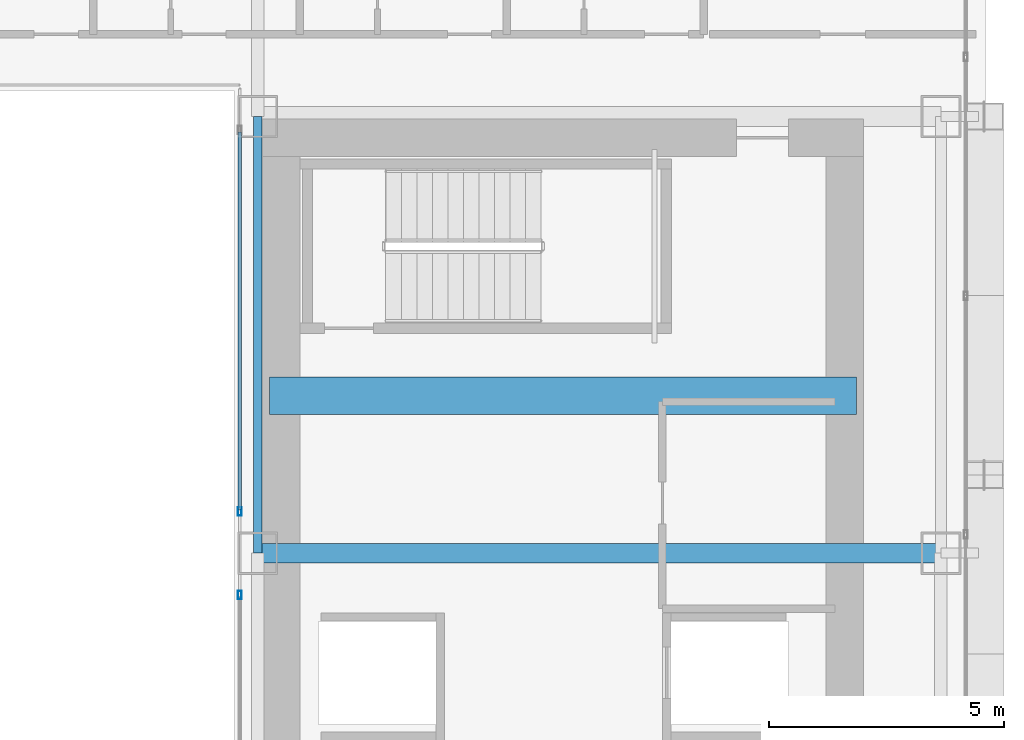
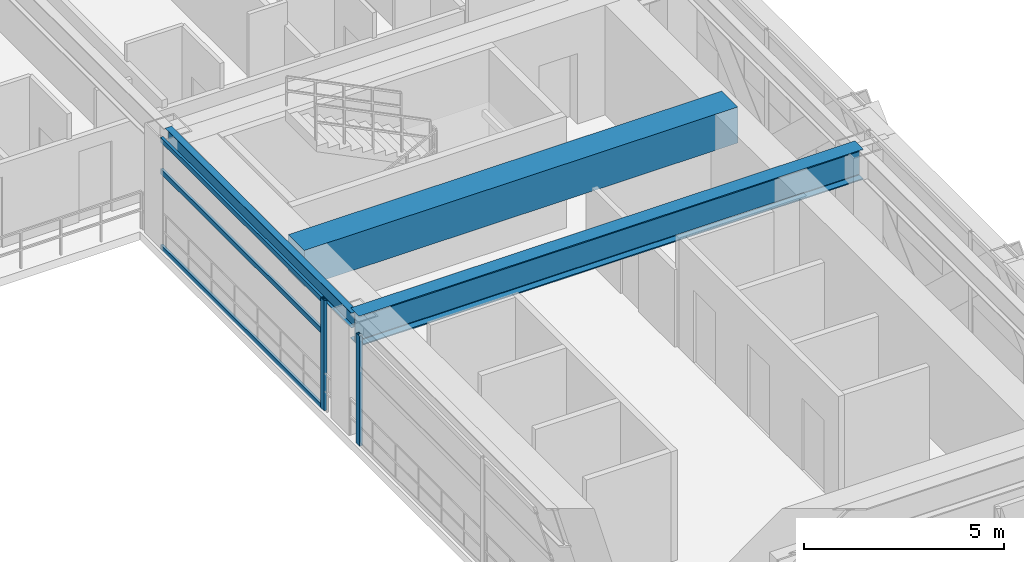
# One storey, part 17 of 41: 5 members, 3 beams, 2 elements without a shape of their own.
"""IFC4 building model written with IfcOpenShell, lengths in metres."""

from ifc_helpers import new_model, si_unit, direction, frame, origin, origin_2d, place, context, subcontext, project, spatial, rectangle, hollow_rectangle, i_section, extrude, source, transform, mapped, material, layer, layer_set, material_profile, profile_set, type_object, element, aggregate, save


model = new_model("IFC4")

# Units and contexts
model_context = context("Model", 3, precision=1e-05, world=origin(), true_north=direction((0.0, 1.0)))
body_context = subcontext(model_context, "Body", "Model", "MODEL_VIEW")
ifc_project = project(units=[si_unit("LENGTHUNIT", "METRE"), si_unit("AREAUNIT", "SQUARE_METRE"), si_unit("VOLUMEUNIT", "CUBIC_METRE"), si_unit("PLANEANGLEUNIT", "RADIAN"), si_unit("MASSUNIT", "GRAM", prefix="KILO")], contexts=[model_context])

# Site, building, storey
site_placement = place(None, origin())
site = spatial("IfcSite", under=ifc_project, at=site_placement, CompositionType="ELEMENT")
building_placement = place(site_placement, origin())
building = spatial("IfcBuilding", under=site, at=building_placement, Name="Ocotamira Hotel", CompositionType="ELEMENT")
storey_placement = place(building_placement, frame((0.0, 0.0, 38.39990234375)))
storey = spatial("IfcBuildingStorey", under=building, at=storey_placement, Name="L08", CompositionType="ELEMENT", Elevation=38.39990234375)

# Beams
ifc_material_1 = material(Name="Concrete C60/75", Category="concrete")
ifc_material_profile_1 = material_profile(ifc_material_1, rectangle(XDim=0.800048828125, YDim=1.10009765625, at=origin_2d()), Name="RC800X1100")
ifc_profile_set_1 = profile_set([ifc_material_profile_1], Name="Concrete C60/75")
beam_type_1 = type_object("IfcBeamType", Name="BM-LINK-RC800", PredefinedType="LINTEL", material=ifc_profile_set_1)
shared_shape_1 = source(origin(), body_context, "Body", "SweptSolid", [
    extrude(rectangle(XDim=0.800048828125, YDim=1.10009765625, at=origin_2d()), origin(), (0.0, 0.0, 1.0), 12.5),
])
beam_1_placement = place(storey_placement, frame((40.75, 31.5, 2.800048828125), z_axis=(1.0, 0.0, 0.0), x_axis=(0.0, 1.0, 0.0)))
element("IfcBeam", 1, at=beam_1_placement, inside=storey, type_object=beam_type_1, Name="L08 East Core Coupling Beam", PredefinedType="LINTEL", context=body_context, shape_type="MappedRepresentation", body=[
    mapped(shared_shape_1, transform((0.0, 0.0, 0.0), scale=1.0)),
])
ifc_material_2 = material(Name="Steel ASTM A992 Grade 50", Category="steel")
ifc_material_profile_2 = material_profile(ifc_material_2, i_section(OverallWidth=0.41796875, OverallDepth=0.927001953125, WebThickness=0.019287109375, FlangeThickness=0.031982421875, FilletRadius=0.02392578125, at=origin_2d()), Name="W36X231")
ifc_profile_set_2 = profile_set([ifc_material_profile_2], Name="Steel ASTM A992 Grade 50")
beam_type_2 = type_object("IfcBeamType", Name="BM-GIRD-W36X231", PredefinedType="BEAM", material=ifc_profile_set_2)
shared_shape_2 = source(origin(), body_context, "Body", "SweptSolid", [
    extrude(i_section(OverallWidth=0.41796875, OverallDepth=0.927001953125, WebThickness=0.019287109375, FlangeThickness=0.031982421875, FilletRadius=0.02392578125, at=origin_2d()), origin(), (0.0, 0.0, 1.0), 14.550048828125),
])
beam_2_placement = place(storey_placement, frame((40.5, 28.14990234375, 2.88671875), z_axis=(1.0, 0.0, 0.0), x_axis=(0.0, 1.0, 0.0)))
element("IfcBeam", 2, at=beam_2_placement, inside=storey, type_object=beam_type_2, Name="L08 Girder Y28.15 X40.5-55.05", PredefinedType="BEAM", context=body_context, shape_type="MappedRepresentation", body=[
    mapped(shared_shape_2, transform((0.0, 0.0, 0.0), scale=1.0)),
])
ifc_material_profile_3 = material_profile(ifc_material_2, i_section(OverallWidth=0.18994140625, OverallDepth=0.45703125, WebThickness=0.009033203125, FlangeThickness=0.014404296875, FilletRadius=0.010009765625, at=origin_2d()), Name="W18X50")
ifc_profile_set_3 = profile_set([ifc_material_profile_3], Name="Steel ASTM A992 Grade 50")
beam_type_3 = type_object("IfcBeamType", Name="BM-SEC-W18X50", PredefinedType="JOIST", material=ifc_profile_set_3)
shared_shape_3 = source(origin(), body_context, "Body", "SweptSolid", [
    extrude(i_section(OverallWidth=0.18994140625, OverallDepth=0.45703125, WebThickness=0.009033203125, FlangeThickness=0.014404296875, FilletRadius=0.010009765625, at=origin_2d()), origin(), (0.0, 0.0, 1.0), 9.300048828125),
])
beam_3_placement = place(storey_placement, frame((40.5, 28.14990234375, 3.12158203125), z_axis=(0.0, 1.0, 0.0), x_axis=(-1.0, 0.0, 0.0)))
element("IfcBeam", 3, at=beam_3_placement, inside=storey, type_object=beam_type_3, Name="L08 Beam X40.5 Y28.15-37.45", PredefinedType="JOIST", context=body_context, shape_type="MappedRepresentation", body=[
    mapped(shared_shape_3, transform((0.0, 0.0, 0.0), scale=1.0)),
])

# Curtain wall, member
ifc_material_3 = material(Name="Anodised pale-metal aluminium and solar glass", Category="aluminium")
ifc_layer = layer(ifc_material_3, 0.159912109375)
ifc_layer_set = layer_set([ifc_layer], Name="Anodised pale-metal aluminium and solar glass")
curtain_wall_type = type_object("IfcCurtainWallType", Name="CW-SYS6-ATR", PredefinedType="NOTDEFINED", material=ifc_layer_set)
curtain_wall_1_placement = place(storey_placement, origin())
curtain_wall_1 = element("IfcCurtainWall", 4, at=curtain_wall_1_placement, inside=storey, type_object=curtain_wall_type, Name="L08 Curtain Wall CW-6 CW-L08-ATRE1", PredefinedType="NOTDEFINED")
ifc_material_4 = material(Name="Anodised pale-metal aluminium 6063-T6", Category="aluminium")
ifc_material_profile_4 = material_profile(ifc_material_4, hollow_rectangle(XDim=0.080078125, YDim=0.179931640625, WallThickness=0.006103515625, at=origin_2d()), Name="HSS180X80X6")
ifc_profile_set_4 = profile_set([ifc_material_profile_4], Name="Anodised pale-metal aluminium 6063-T6")
member_type_1 = type_object("IfcMemberType", Name="CWM-180X75", PredefinedType="MULLION", material=ifc_profile_set_4)
shared_shape_4 = source(origin(), body_context, "Body", "SweptSolid", [
    extrude(hollow_rectangle(XDim=0.080078125, YDim=0.179931640625, WallThickness=0.006103515625, at=origin_2d()), origin(), (0.0, 0.0, 1.0), 3.35009765625),
])
member_1_placement = place(storey_placement, frame((40.1201171875, 27.260009765625, 0.0), z_axis=(0.0, 0.0, 1.0), x_axis=(-1.0, 0.0, 0.0)))
member_1 = element("IfcMember", 5, at=member_1_placement, type_object=member_type_1, Name="CW-6 mullion 3", PredefinedType="MULLION", context=body_context, shape_type="MappedRepresentation", body=[
    mapped(shared_shape_4, transform((0.0, 0.0, 0.0), scale=1.0)),
])
aggregate(curtain_wall_1, [member_1])

# Curtain wall, members
curtain_wall_2_placement = place(storey_placement, origin())
curtain_wall_2 = element("IfcCurtainWall", 6, at=curtain_wall_2_placement, inside=storey, type_object=curtain_wall_type, Name="L08 Curtain Wall CW-6 CW-L08-ATRE2", PredefinedType="NOTDEFINED")
member_2_placement = place(storey_placement, frame((40.1201171875, 29.0400390625, 0.0), z_axis=(0.0, 0.0, 1.0), x_axis=(-1.0, 0.0, 0.0)))
member_2 = element("IfcMember", 7, at=member_2_placement, type_object=member_type_1, Name="CW-6 mullion 1", PredefinedType="MULLION", context=body_context, shape_type="MappedRepresentation", body=[
    mapped(shared_shape_4, transform((0.0, 0.0, 0.0), scale=1.0)),
])
ifc_material_profile_5 = material_profile(ifc_material_4, hollow_rectangle(XDim=0.074951171875, YDim=0.14990234375, WallThickness=0.006103515625, at=origin_2d()), Name="HSS150X75X6")
ifc_profile_set_5 = profile_set([ifc_material_profile_5], Name="Anodised pale-metal aluminium 6063-T6")
member_type_2 = type_object("IfcMemberType", Name="CWT-150X75", PredefinedType="USERDEFINED", material=ifc_profile_set_5)
shared_shape_5 = source(origin(), body_context, "Body", "SweptSolid", [
    extrude(hollow_rectangle(XDim=0.074951171875, YDim=0.14990234375, WallThickness=0.006103515625, at=origin_2d()), origin(), (0.0, 0.0, 1.0), 8.0400390625),
])
member_3_placement = place(storey_placement, frame((40.1201171875, 29.080078125, 0.03759765625), z_axis=(0.0, 1.0, 0.0), x_axis=(-1.0, 0.0, 0.0)))
member_3 = element("IfcMember", 8, at=member_3_placement, type_object=member_type_2, Name="CW-6 transom 1.1", ObjectType="TRANSOM", PredefinedType="USERDEFINED", context=body_context, shape_type="MappedRepresentation", body=[
    mapped(shared_shape_5, transform((0.0, 0.0, 0.0), scale=1.0)),
])
member_4_placement = place(storey_placement, frame((40.1201171875, 29.080078125, 2.35009765625), z_axis=(0.0, 1.0, 0.0), x_axis=(-1.0, 0.0, 0.0)))
member_4 = element("IfcMember", 9, at=member_4_placement, type_object=member_type_2, Name="CW-6 transom 1.2", ObjectType="TRANSOM", PredefinedType="USERDEFINED", context=body_context, shape_type="MappedRepresentation", body=[
    mapped(shared_shape_5, transform((0.0, 0.0, 0.0), scale=1.0)),
])
member_5_placement = place(storey_placement, frame((40.1201171875, 29.080078125, 3.3125), z_axis=(0.0, 1.0, 0.0), x_axis=(-1.0, 0.0, 0.0)))
member_5 = element("IfcMember", 10, at=member_5_placement, type_object=member_type_2, Name="CW-6 transom 1.3", ObjectType="TRANSOM", PredefinedType="USERDEFINED", context=body_context, shape_type="MappedRepresentation", body=[
    mapped(shared_shape_5, transform((0.0, 0.0, 0.0), scale=1.0)),
])
aggregate(curtain_wall_2, [member_2, member_3, member_4, member_5])

save(model, "model.ifc")
